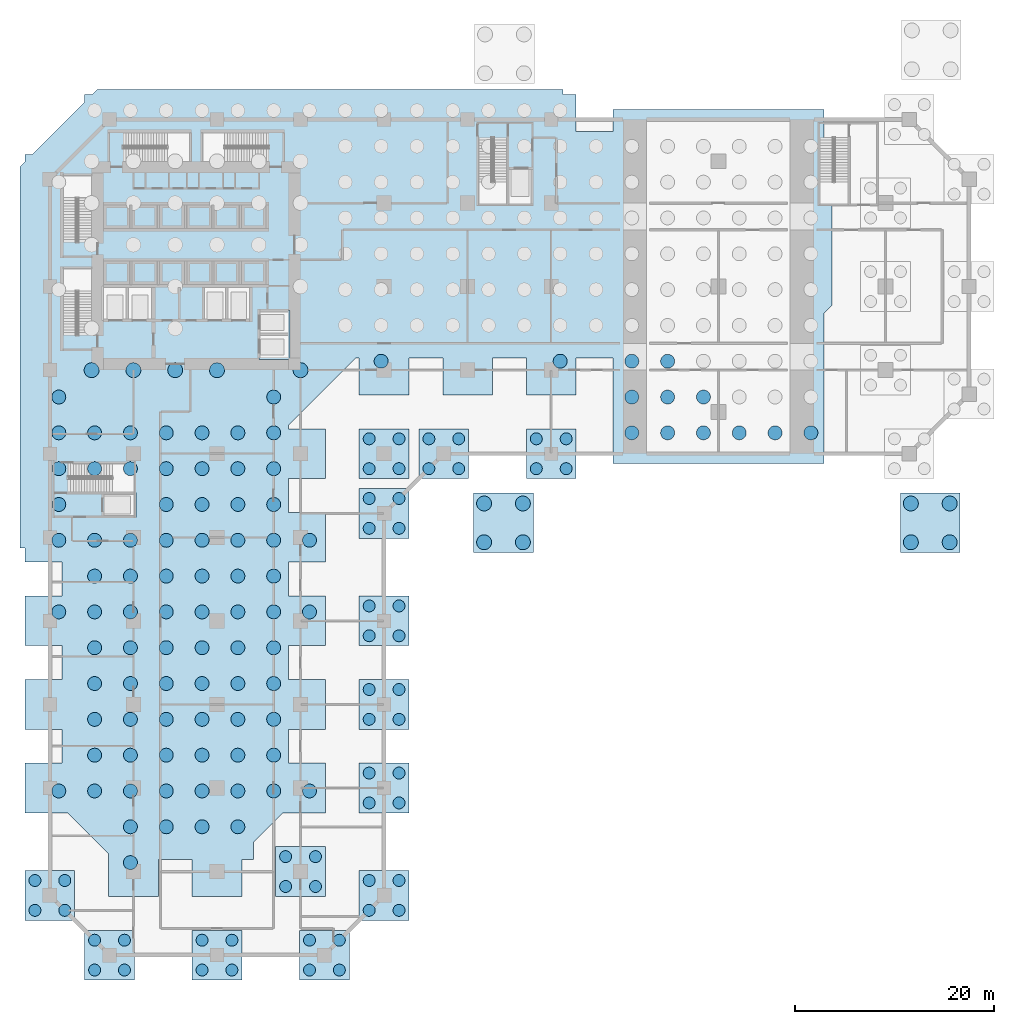
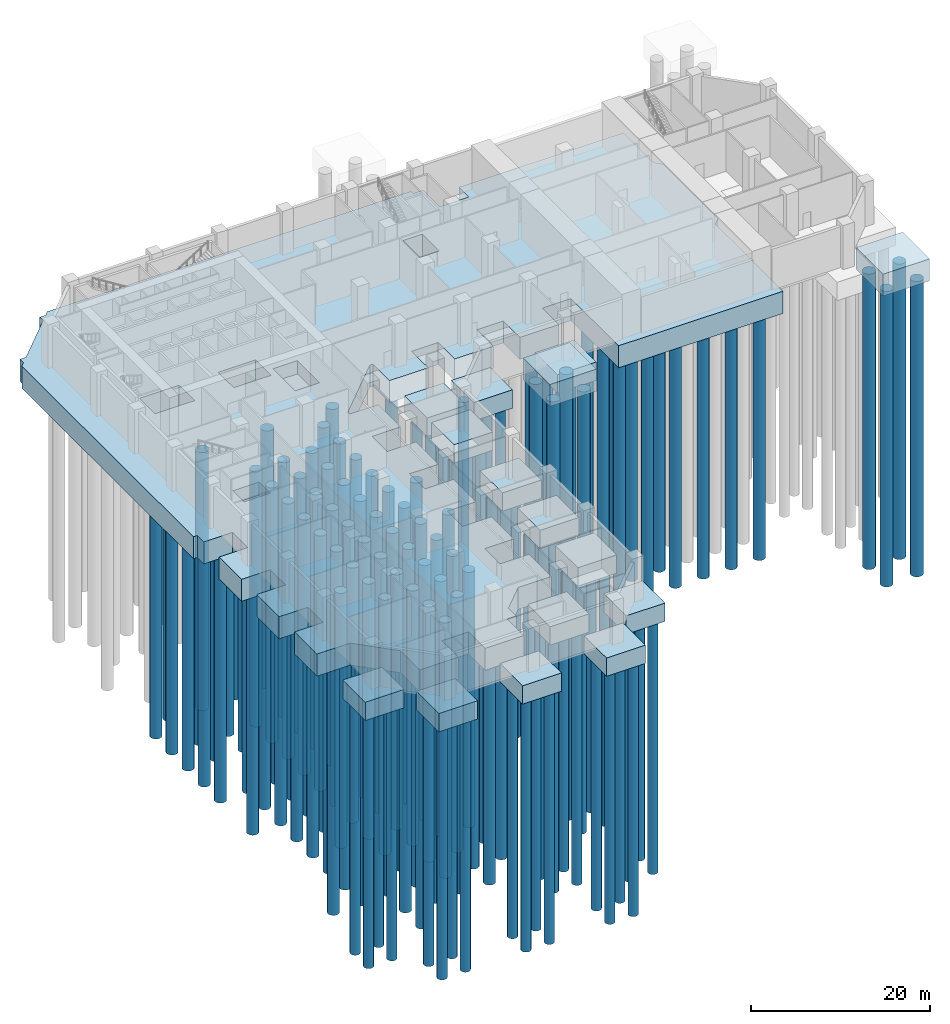
# One storey, part 1 of 13: 158 piles, 18 footings.
"""IFC4 building model written with IfcOpenShell, lengths in metres."""

from ifc_helpers import new_model, si_unit, direction, frame, origin, origin_2d, place, context, subcontext, project, spatial, polyline, circle, outline, extrude, material, layer, layer_set, material_profile, profile_set, type_object, element, save


model = new_model("IFC4")

# Units and contexts
model_context = context("Model", 3, precision=1e-05, world=origin(), true_north=direction((0.0, 1.0)))
body_context = subcontext(model_context, "Body", "Model", "MODEL_VIEW")
ifc_project = project(units=[si_unit("LENGTHUNIT", "METRE"), si_unit("AREAUNIT", "SQUARE_METRE"), si_unit("VOLUMEUNIT", "CUBIC_METRE"), si_unit("PLANEANGLEUNIT", "RADIAN"), si_unit("MASSUNIT", "GRAM", prefix="KILO")], contexts=[model_context])

# Site, building, storey
site_placement = place(None, origin())
site = spatial("IfcSite", under=ifc_project, at=site_placement, CompositionType="ELEMENT")
building_placement = place(site_placement, origin())
building = spatial("IfcBuilding", under=site, at=building_placement, Name="Kawkab Arch Medical Tower", CompositionType="ELEMENT")
storey_placement = place(building_placement, frame((0.0, 0.0, -6.0)))
storey = spatial("IfcBuildingStorey", under=building, at=storey_placement, Name="B1", CompositionType="ELEMENT", Elevation=-6.0)

# Piles
ifc_material_1 = material(Name="Concrete C35/45", Category="concrete")
ifc_material_profile_1 = material_profile(ifc_material_1, circle(Radius=0.60009765625, at=origin_2d()), Name="Bored pile D1200")
ifc_profile_set_1 = profile_set([ifc_material_profile_1], Name="Concrete C35/45")
pile_type_1 = type_object("IfcPileType", Name="Bored pile D1200 C35/45", PredefinedType="BORED", material=ifc_profile_set_1)
for number, where, z_axis, x_axis, name in (
    (1, (32.10009765625, -35.10009765625, -2.35009765625), (0.0, 0.0, -1.0), (1.0, 0.0, 0.0), "Pile 255"),
    (2, (32.10009765625, -32.10009765625, -2.35009765625), (0.0, 0.0, -1.0), (1.0, 0.0, 0.0), "Pile 256"),
    (3, (35.10009765625, -35.10009765625, -2.35009765625), (0.0, 0.0, -1.0), (1.0, 0.0, 0.0), "Pile 257"),
    (4, (35.10009765625, -32.10009765625, -2.35009765625), (0.0, 0.0, -1.0), (1.0, 0.0, 0.0), "Pile 258"),
    (5, (38.10009765625, -35.10009765625, -2.35009765625), (0.0, 0.0, -1.0), (1.0, 0.0, 0.0), "Pile 259"),
    (6, (38.10009765625, -32.10009765625, -2.35009765625), (0.0, 0.0, -1.0), (1.0, 0.0, 0.0), "Pile 260"),
    (7, (41.10009765625, -35.10009765625, -2.35009765625), (0.0, 0.0, -1.0), (1.0, 0.0, 0.0), "Pile 261"),
    (8, (41.10009765625, -32.10009765625, -2.35009765625), (0.0, 0.0, -1.0), (1.0, 0.0, 0.0), "Pile 262"),
    (9, (48.89990234375, -35.10009765625, -2.35009765625), (0.0, 0.0, -1.0), (1.0, 0.0, 0.0), "Pile 263"),
    (10, (48.89990234375, -32.10009765625, -2.35009765625), (0.0, 0.0, -1.0), (1.0, 0.0, 0.0), "Pile 264"),
    (11, (51.89990234375, -35.10009765625, -2.35009765625), (0.0, 0.0, -1.0), (1.0, 0.0, 0.0), "Pile 265"),
    (12, (51.89990234375, -32.10009765625, -2.35009765625), (0.0, 0.0, -1.0), (1.0, 0.0, 0.0), "Pile 266"),
    (13, (32.10009765625, -41.10009765625, -2.35009765625), (0.0, 0.0, -1.0), (1.0, 0.0, 0.0), "Pile 271"),
    (14, (32.10009765625, -38.10009765625, -2.35009765625), (0.0, 0.0, -1.0), (1.0, 0.0, 0.0), "Pile 272"),
    (15, (35.10009765625, -41.10009765625, -2.35009765625), (0.0, 0.0, -1.0), (1.0, 0.0, 0.0), "Pile 273"),
    (16, (35.10009765625, -38.10009765625, -2.35009765625), (0.0, 0.0, -1.0), (1.0, 0.0, 0.0), "Pile 274"),
    (17, (32.10009765625, -51.89990234375, -2.35009765625), (0.0, 0.0, -1.0), (1.0, 0.0, 0.0), "Pile 275"),
    (18, (32.10009765625, -48.89990234375, -2.35009765625), (0.0, 0.0, -1.0), (1.0, 0.0, 0.0), "Pile 276"),
    (19, (35.10009765625, -51.89990234375, -2.35009765625), (0.0, 0.0, -1.0), (1.0, 0.0, 0.0), "Pile 277"),
    (20, (35.10009765625, -48.89990234375, -2.35009765625), (0.0, 0.0, -1.0), (1.0, 0.0, 0.0), "Pile 278"),
    (21, (32.10009765625, -60.300048828125, -2.35009765625), (0.0, 0.0, -1.0), (1.0, 0.0, 0.0), "Pile 279"),
    (22, (32.10009765625, -57.300048828125, -2.35009765625), (0.0, 0.0, -1.0), (1.0, 0.0, 0.0), "Pile 280"),
    (23, (35.10009765625, -60.300048828125, -2.35009765625), (0.0, 0.0, -1.0), (1.0, 0.0, 0.0), "Pile 281"),
    (24, (35.10009765625, -57.300048828125, -2.35009765625), (0.0, 0.0, -1.0), (1.0, 0.0, 0.0), "Pile 282"),
    (25, (32.10009765625, -68.699951171875, -2.35009765625), (0.0, 0.0, -1.0), (1.0, 0.0, 0.0), "Pile 283"),
    (26, (32.10009765625, -65.699951171875, -2.35009765625), (0.0, 0.0, -1.0), (1.0, 0.0, 0.0), "Pile 284"),
    (27, (35.10009765625, -68.699951171875, -2.35009765625), (0.0, 0.0, -1.0), (1.0, 0.0, 0.0), "Pile 285"),
    (28, (35.10009765625, -65.699951171875, -2.35009765625), (0.0, 0.0, -1.0), (1.0, 0.0, 0.0), "Pile 286"),
    (29, (23.699951171875, -77.10009765625, -2.35009765625), (0.0, 0.0, -1.0), (1.0, 0.0, 0.0), "Pile 287"),
    (30, (23.699951171875, -74.10009765625, -2.35009765625), (0.0, 0.0, -1.0), (1.0, 0.0, 0.0), "Pile 288"),
    (31, (26.699951171875, -77.10009765625, -2.35009765625), (0.0, 0.0, -1.0), (1.0, 0.0, 0.0), "Pile 289"),
    (32, (26.699951171875, -74.10009765625, -2.35009765625), (0.0, 0.0, -1.0), (1.0, 0.0, 0.0), "Pile 290"),
    (33, (-1.5, -79.5, -2.35009765625), (0.0, 0.0, -1.0), (1.0, 0.0, 0.0), "Pile 291"),
    (34, (-1.5, -76.5, -2.35009765625), (0.0, 0.0, -1.0), (1.0, 0.0, 0.0), "Pile 292"),
    (35, (1.5, -79.5, -2.35009765625), (0.0, 0.0, -1.0), (1.0, 0.0, 0.0), "Pile 293"),
    (36, (1.5, -76.5, -2.35009765625), (0.0, 0.0, -1.0), (1.0, 0.0, 0.0), "Pile 294"),
    (37, (32.10009765625, -79.5, -2.35009765625), (0.0, 0.0, -1.0), (1.0, 0.0, 0.0), "Pile 295"),
    (38, (32.10009765625, -76.5, -2.35009765625), (0.0, 0.0, -1.0), (1.0, 0.0, 0.0), "Pile 296"),
    (39, (35.10009765625, -79.5, -2.35009765625), (0.0, 0.0, -1.0), (1.0, 0.0, 0.0), "Pile 297"),
    (40, (35.10009765625, -76.5, -2.35009765625), (0.0, 0.0, -1.0), (1.0, 0.0, 0.0), "Pile 298"),
    (41, (4.5, -85.5, -2.35009765625), (0.0, 0.0, -1.0), (1.0, 0.0, 0.0), "Pile 299"),
    (42, (4.5, -82.5, -2.35009765625), (0.0, 0.0, -1.0), (1.0, 0.0, 0.0), "Pile 300"),
    (43, (7.5, -85.5, -2.35009765625), (0.0, 0.0, -1.0), (1.0, 0.0, 0.0), "Pile 301"),
    (44, (7.5, -82.5, -2.35009765625), (0.0, 0.0, -1.0), (1.0, 0.0, 0.0), "Pile 302"),
    (45, (15.300048828125, -85.5, -2.35009765625), (0.0, 0.0, -1.0), (1.0, 0.0, 0.0), "Pile 303"),
    (46, (15.300048828125, -82.5, -2.35009765625), (0.0, 0.0, -1.0), (1.0, 0.0, 0.0), "Pile 304"),
    (47, (18.300048828125, -85.5, -2.35009765625), (0.0, 0.0, -1.0), (1.0, 0.0, 0.0), "Pile 305"),
    (48, (18.300048828125, -82.5, -2.35009765625), (0.0, 0.0, -1.0), (1.0, 0.0, 0.0), "Pile 306"),
    (49, (26.10009765625, -85.5, -2.35009765625), (0.0, 0.0, -1.0), (1.0, 0.0, 0.0), "Pile 307"),
    (50, (26.10009765625, -82.5, -2.35009765625), (0.0, 0.0, -1.0), (1.0, 0.0, 0.0), "Pile 308"),
    (51, (29.10009765625, -85.5, -2.35009765625), (0.0, 0.0, -1.0), (1.0, 0.0, 0.0), "Pile 309"),
    (52, (29.10009765625, -82.5, -2.35009765625), (0.0, 0.0, -1.0), (1.0, 0.0, 0.0), "Pile 310"),
):
    element("IfcPile", number, at=place(storey_placement, frame(where, z_axis=z_axis, x_axis=x_axis)), inside=storey, type_object=pile_type_1, Name=name, PredefinedType="BORED", context=body_context, shape_type="SweptSolid", body=[
        extrude(circle(Radius=0.60009765625, at=origin_2d()), origin(), (0.0, 0.0, 1.0), 34.449951171875),
    ])
ifc_material_2 = material(Name="Concrete C35/45", Category="concrete")
ifc_material_profile_2 = material_profile(ifc_material_2, circle(Radius=0.699951171875, at=origin_2d()), Name="Bored pile D1400")
ifc_profile_set_2 = profile_set([ifc_material_profile_2], Name="Concrete C35/45")
pile_type_2 = type_object("IfcPileType", Name="Bored pile D1400 C35/45", PredefinedType="BORED", material=ifc_profile_set_2)
for number, where, z_axis, x_axis, name in (
    (53, (33.300048828125, -24.300048828125, -2.85009765625), (0.0, 0.0, -1.0), (1.0, 0.0, 0.0), "Pile 127"),
    (54, (51.300048828125, -24.300048828125, -2.85009765625), (0.0, 0.0, -1.0), (1.0, 0.0, 0.0), "Pile 128"),
    (55, (58.5, -24.300048828125, -2.85009765625), (0.0, 0.0, -1.0), (1.0, 0.0, 0.0), "Pile 129"),
    (56, (62.10009765625, -24.300048828125, -2.85009765625), (0.0, 0.0, -1.0), (1.0, 0.0, 0.0), "Pile 130"),
    (57, (0.89990234375, -27.89990234375, -2.85009765625), (0.0, 0.0, -1.0), (1.0, 0.0, 0.0), "Pile 135"),
    (58, (22.5, -27.89990234375, -2.85009765625), (0.0, 0.0, -1.0), (1.0, 0.0, 0.0), "Pile 136"),
    (59, (58.5, -27.89990234375, -2.85009765625), (0.0, 0.0, -1.0), (1.0, 0.0, 0.0), "Pile 137"),
    (60, (62.10009765625, -27.89990234375, -2.85009765625), (0.0, 0.0, -1.0), (1.0, 0.0, 0.0), "Pile 138"),
    (61, (65.699951171875, -27.89990234375, -2.85009765625), (0.0, 0.0, -1.0), (1.0, 0.0, 0.0), "Pile 139"),
    (62, (0.89990234375, -31.5, -2.85009765625), (0.0, 0.0, -1.0), (1.0, 0.0, 0.0), "Pile 143"),
    (63, (4.5, -31.5, -2.85009765625), (0.0, 0.0, -1.0), (1.0, 0.0, 0.0), "Pile 144"),
    (64, (8.10009765625, -31.5, -2.85009765625), (0.0, 0.0, -1.0), (1.0, 0.0, 0.0), "Pile 145"),
    (65, (11.699951171875, -31.5, -2.85009765625), (0.0, 0.0, -1.0), (1.0, 0.0, 0.0), "Pile 146"),
    (66, (15.300048828125, -31.5, -2.85009765625), (0.0, 0.0, -1.0), (1.0, 0.0, 0.0), "Pile 147"),
    (67, (18.89990234375, -31.5, -2.85009765625), (0.0, 0.0, -1.0), (1.0, 0.0, 0.0), "Pile 148"),
    (68, (22.5, -31.5, -2.85009765625), (0.0, 0.0, -1.0), (1.0, 0.0, 0.0), "Pile 149"),
    (69, (58.5, -31.5, -2.85009765625), (0.0, 0.0, -1.0), (1.0, 0.0, 0.0), "Pile 150"),
    (70, (62.10009765625, -31.5, -2.85009765625), (0.0, 0.0, -1.0), (1.0, 0.0, 0.0), "Pile 151"),
    (71, (65.699951171875, -31.5, -2.85009765625), (0.0, 0.0, -1.0), (1.0, 0.0, 0.0), "Pile 152"),
    (72, (69.300048828125, -31.5, -2.85009765625), (0.0, 0.0, -1.0), (1.0, 0.0, 0.0), "Pile 153"),
    (73, (72.89990234375, -31.5, -2.85009765625), (0.0, 0.0, -1.0), (1.0, 0.0, 0.0), "Pile 154"),
    (74, (76.5, -31.5, -2.85009765625), (0.0, 0.0, -1.0), (1.0, 0.0, 0.0), "Pile 155"),
    (75, (0.89990234375, -35.10009765625, -2.85009765625), (0.0, 0.0, -1.0), (1.0, 0.0, 0.0), "Pile 156"),
    (76, (4.5, -35.10009765625, -2.85009765625), (0.0, 0.0, -1.0), (1.0, 0.0, 0.0), "Pile 157"),
    (77, (8.10009765625, -35.10009765625, -2.85009765625), (0.0, 0.0, -1.0), (1.0, 0.0, 0.0), "Pile 158"),
    (78, (11.699951171875, -35.10009765625, -2.85009765625), (0.0, 0.0, -1.0), (1.0, 0.0, 0.0), "Pile 159"),
    (79, (15.300048828125, -35.10009765625, -2.85009765625), (0.0, 0.0, -1.0), (1.0, 0.0, 0.0), "Pile 160"),
    (80, (18.89990234375, -35.10009765625, -2.85009765625), (0.0, 0.0, -1.0), (1.0, 0.0, 0.0), "Pile 161"),
    (81, (22.5, -35.10009765625, -2.85009765625), (0.0, 0.0, -1.0), (1.0, 0.0, 0.0), "Pile 162"),
    (82, (0.89990234375, -38.699951171875, -2.85009765625), (0.0, 0.0, -1.0), (1.0, 0.0, 0.0), "Pile 163"),
    (83, (11.699951171875, -38.699951171875, -2.85009765625), (0.0, 0.0, -1.0), (1.0, 0.0, 0.0), "Pile 164"),
    (84, (15.300048828125, -38.699951171875, -2.85009765625), (0.0, 0.0, -1.0), (1.0, 0.0, 0.0), "Pile 165"),
    (85, (18.89990234375, -38.699951171875, -2.85009765625), (0.0, 0.0, -1.0), (1.0, 0.0, 0.0), "Pile 166"),
    (86, (22.5, -38.699951171875, -2.85009765625), (0.0, 0.0, -1.0), (1.0, 0.0, 0.0), "Pile 167"),
    (87, (0.89990234375, -42.300048828125, -2.85009765625), (0.0, 0.0, -1.0), (1.0, 0.0, 0.0), "Pile 168"),
    (88, (4.5, -42.300048828125, -2.85009765625), (0.0, 0.0, -1.0), (1.0, 0.0, 0.0), "Pile 169"),
    (89, (8.10009765625, -42.300048828125, -2.85009765625), (0.0, 0.0, -1.0), (1.0, 0.0, 0.0), "Pile 170"),
    (90, (11.699951171875, -42.300048828125, -2.85009765625), (0.0, 0.0, -1.0), (1.0, 0.0, 0.0), "Pile 171"),
    (91, (15.300048828125, -42.300048828125, -2.85009765625), (0.0, 0.0, -1.0), (1.0, 0.0, 0.0), "Pile 172"),
    (92, (18.89990234375, -42.300048828125, -2.85009765625), (0.0, 0.0, -1.0), (1.0, 0.0, 0.0), "Pile 173"),
    (93, (22.5, -42.300048828125, -2.85009765625), (0.0, 0.0, -1.0), (1.0, 0.0, 0.0), "Pile 174"),
    (94, (26.10009765625, -42.300048828125, -2.85009765625), (0.0, 0.0, -1.0), (1.0, 0.0, 0.0), "Pile 175"),
    (95, (4.5, -45.89990234375, -2.85009765625), (0.0, 0.0, -1.0), (1.0, 0.0, 0.0), "Pile 176"),
    (96, (8.10009765625, -45.89990234375, -2.85009765625), (0.0, 0.0, -1.0), (1.0, 0.0, 0.0), "Pile 177"),
    (97, (11.699951171875, -45.89990234375, -2.85009765625), (0.0, 0.0, -1.0), (1.0, 0.0, 0.0), "Pile 178"),
    (98, (15.300048828125, -45.89990234375, -2.85009765625), (0.0, 0.0, -1.0), (1.0, 0.0, 0.0), "Pile 179"),
    (99, (18.89990234375, -45.89990234375, -2.85009765625), (0.0, 0.0, -1.0), (1.0, 0.0, 0.0), "Pile 180"),
    (100, (22.5, -45.89990234375, -2.85009765625), (0.0, 0.0, -1.0), (1.0, 0.0, 0.0), "Pile 181"),
    (101, (0.89990234375, -49.5, -2.85009765625), (0.0, 0.0, -1.0), (1.0, 0.0, 0.0), "Pile 182"),
    (102, (4.5, -49.5, -2.85009765625), (0.0, 0.0, -1.0), (1.0, 0.0, 0.0), "Pile 183"),
    (103, (8.10009765625, -49.5, -2.85009765625), (0.0, 0.0, -1.0), (1.0, 0.0, 0.0), "Pile 184"),
    (104, (11.699951171875, -49.5, -2.85009765625), (0.0, 0.0, -1.0), (1.0, 0.0, 0.0), "Pile 185"),
    (105, (15.300048828125, -49.5, -2.85009765625), (0.0, 0.0, -1.0), (1.0, 0.0, 0.0), "Pile 186"),
    (106, (18.89990234375, -49.5, -2.85009765625), (0.0, 0.0, -1.0), (1.0, 0.0, 0.0), "Pile 187"),
    (107, (22.5, -49.5, -2.85009765625), (0.0, 0.0, -1.0), (1.0, 0.0, 0.0), "Pile 188"),
    (108, (26.10009765625, -49.5, -2.85009765625), (0.0, 0.0, -1.0), (1.0, 0.0, 0.0), "Pile 189"),
    (109, (4.5, -53.10009765625, -2.85009765625), (0.0, 0.0, -1.0), (1.0, 0.0, 0.0), "Pile 190"),
    (110, (8.10009765625, -53.10009765625, -2.85009765625), (0.0, 0.0, -1.0), (1.0, 0.0, 0.0), "Pile 191"),
    (111, (11.699951171875, -53.10009765625, -2.85009765625), (0.0, 0.0, -1.0), (1.0, 0.0, 0.0), "Pile 192"),
    (112, (15.300048828125, -53.10009765625, -2.85009765625), (0.0, 0.0, -1.0), (1.0, 0.0, 0.0), "Pile 193"),
    (113, (18.89990234375, -53.10009765625, -2.85009765625), (0.0, 0.0, -1.0), (1.0, 0.0, 0.0), "Pile 194"),
    (114, (22.5, -53.10009765625, -2.85009765625), (0.0, 0.0, -1.0), (1.0, 0.0, 0.0), "Pile 195"),
    (115, (4.5, -56.699951171875, -2.85009765625), (0.0, 0.0, -1.0), (1.0, 0.0, 0.0), "Pile 196"),
    (116, (8.10009765625, -56.699951171875, -2.85009765625), (0.0, 0.0, -1.0), (1.0, 0.0, 0.0), "Pile 197"),
    (117, (11.699951171875, -56.699951171875, -2.85009765625), (0.0, 0.0, -1.0), (1.0, 0.0, 0.0), "Pile 198"),
    (118, (15.300048828125, -56.699951171875, -2.85009765625), (0.0, 0.0, -1.0), (1.0, 0.0, 0.0), "Pile 199"),
    (119, (18.89990234375, -56.699951171875, -2.85009765625), (0.0, 0.0, -1.0), (1.0, 0.0, 0.0), "Pile 200"),
    (120, (22.5, -56.699951171875, -2.85009765625), (0.0, 0.0, -1.0), (1.0, 0.0, 0.0), "Pile 201"),
    (121, (4.5, -60.300048828125, -2.85009765625), (0.0, 0.0, -1.0), (1.0, 0.0, 0.0), "Pile 202"),
    (122, (8.10009765625, -60.300048828125, -2.85009765625), (0.0, 0.0, -1.0), (1.0, 0.0, 0.0), "Pile 203"),
    (123, (11.699951171875, -60.300048828125, -2.85009765625), (0.0, 0.0, -1.0), (1.0, 0.0, 0.0), "Pile 204"),
    (124, (15.300048828125, -60.300048828125, -2.85009765625), (0.0, 0.0, -1.0), (1.0, 0.0, 0.0), "Pile 205"),
    (125, (18.89990234375, -60.300048828125, -2.85009765625), (0.0, 0.0, -1.0), (1.0, 0.0, 0.0), "Pile 206"),
    (126, (22.5, -60.300048828125, -2.85009765625), (0.0, 0.0, -1.0), (1.0, 0.0, 0.0), "Pile 207"),
    (127, (4.5, -63.89990234375, -2.85009765625), (0.0, 0.0, -1.0), (1.0, 0.0, 0.0), "Pile 208"),
    (128, (8.10009765625, -63.89990234375, -2.85009765625), (0.0, 0.0, -1.0), (1.0, 0.0, 0.0), "Pile 209"),
    (129, (11.699951171875, -63.89990234375, -2.85009765625), (0.0, 0.0, -1.0), (1.0, 0.0, 0.0), "Pile 210"),
    (130, (15.300048828125, -63.89990234375, -2.85009765625), (0.0, 0.0, -1.0), (1.0, 0.0, 0.0), "Pile 211"),
    (131, (18.89990234375, -63.89990234375, -2.85009765625), (0.0, 0.0, -1.0), (1.0, 0.0, 0.0), "Pile 212"),
    (132, (22.5, -63.89990234375, -2.85009765625), (0.0, 0.0, -1.0), (1.0, 0.0, 0.0), "Pile 213"),
    (133, (0.89990234375, -67.5, -2.85009765625), (0.0, 0.0, -1.0), (1.0, 0.0, 0.0), "Pile 214"),
    (134, (4.5, -67.5, -2.85009765625), (0.0, 0.0, -1.0), (1.0, 0.0, 0.0), "Pile 215"),
    (135, (8.10009765625, -67.5, -2.85009765625), (0.0, 0.0, -1.0), (1.0, 0.0, 0.0), "Pile 216"),
    (136, (11.699951171875, -67.5, -2.85009765625), (0.0, 0.0, -1.0), (1.0, 0.0, 0.0), "Pile 217"),
    (137, (15.300048828125, -67.5, -2.85009765625), (0.0, 0.0, -1.0), (1.0, 0.0, 0.0), "Pile 218"),
    (138, (18.89990234375, -67.5, -2.85009765625), (0.0, 0.0, -1.0), (1.0, 0.0, 0.0), "Pile 219"),
    (139, (22.5, -67.5, -2.85009765625), (0.0, 0.0, -1.0), (1.0, 0.0, 0.0), "Pile 220"),
    (140, (26.10009765625, -67.5, -2.85009765625), (0.0, 0.0, -1.0), (1.0, 0.0, 0.0), "Pile 221"),
    (141, (8.10009765625, -71.10009765625, -2.85009765625), (0.0, 0.0, -1.0), (1.0, 0.0, 0.0), "Pile 222"),
    (142, (11.699951171875, -71.10009765625, -2.85009765625), (0.0, 0.0, -1.0), (1.0, 0.0, 0.0), "Pile 223"),
    (143, (15.300048828125, -71.10009765625, -2.85009765625), (0.0, 0.0, -1.0), (1.0, 0.0, 0.0), "Pile 224"),
    (144, (18.89990234375, -71.10009765625, -2.85009765625), (0.0, 0.0, -1.0), (1.0, 0.0, 0.0), "Pile 225"),
    (145, (8.10009765625, -74.699951171875, -2.85009765625), (0.0, 0.0, -1.0), (1.0, 0.0, 0.0), "Pile 226"),
):
    element("IfcPile", number, at=place(storey_placement, frame(where, z_axis=z_axis, x_axis=x_axis)), inside=storey, type_object=pile_type_2, Name=name, PredefinedType="BORED", context=body_context, shape_type="SweptSolid", body=[
        extrude(circle(Radius=0.699951171875, at=origin_2d()), origin(), (0.0, 0.0, 1.0), 34.75),
    ])
ifc_material_3 = material(Name="Concrete C35/45", Category="concrete")
ifc_material_profile_3 = material_profile(ifc_material_3, circle(Radius=0.75, at=origin_2d()), Name="Bored pile D1500")
ifc_profile_set_3 = profile_set([ifc_material_profile_3], Name="Concrete C35/45")
pile_type_3 = type_object("IfcPileType", Name="Bored pile D1500 C35/45", PredefinedType="BORED", material=ifc_profile_set_3)
for number, where, z_axis, x_axis, name in (
    (146, (4.199951171875, -25.199951171875, -2.85009765625), (0.0, 0.0, -1.0), (1.0, 0.0, 0.0), "Pile 023"),
    (147, (8.39990234375, -25.199951171875, -2.85009765625), (0.0, 0.0, -1.0), (1.0, 0.0, 0.0), "Pile 024"),
    (148, (12.60009765625, -25.199951171875, -2.85009765625), (0.0, 0.0, -1.0), (1.0, 0.0, 0.0), "Pile 025"),
    (149, (16.800048828125, -25.199951171875, -2.85009765625), (0.0, 0.0, -1.0), (1.0, 0.0, 0.0), "Pile 026"),
    (150, (25.199951171875, -25.199951171875, -2.85009765625), (0.0, 0.0, -1.0), (1.0, 0.0, 0.0), "Pile 027"),
):
    element("IfcPile", number, at=place(storey_placement, frame(where, z_axis=z_axis, x_axis=x_axis)), inside=storey, type_object=pile_type_3, Name=name, PredefinedType="BORED", context=body_context, shape_type="SweptSolid", body=[
        extrude(circle(Radius=0.75, at=origin_2d()), origin(), (0.0, 0.0, 1.0), 35.14990234375),
    ])
for number, where, z_axis, x_axis, name in (
    (151, (43.64990234375, -38.60009765625, 2.199951171875), (0.0, 0.0, -1.0), (1.0, 0.0, 0.0), "Portal arch pile SW-1"),
    (152, (47.550048828125, -38.60009765625, 2.199951171875), (0.0, 0.0, -1.0), (1.0, 0.0, 0.0), "Portal arch pile SW-2"),
    (153, (43.64990234375, -42.5, 2.199951171875), (0.0, 0.0, -1.0), (1.0, 0.0, 0.0), "Portal arch pile SW-3"),
    (154, (47.550048828125, -42.5, 2.199951171875), (0.0, 0.0, -1.0), (1.0, 0.0, 0.0), "Portal arch pile SW-4"),
    (155, (86.550048828125, -38.60009765625, 2.199951171875), (0.0, 0.0, -1.0), (1.0, 0.0, 0.0), "Portal arch pile SE-1"),
    (156, (90.449951171875, -38.60009765625, 2.199951171875), (0.0, 0.0, -1.0), (1.0, 0.0, 0.0), "Portal arch pile SE-2"),
    (157, (86.550048828125, -42.5, 2.199951171875), (0.0, 0.0, -1.0), (1.0, 0.0, 0.0), "Portal arch pile SE-3"),
    (158, (90.449951171875, -42.5, 2.199951171875), (0.0, 0.0, -1.0), (1.0, 0.0, 0.0), "Portal arch pile SE-4"),
):
    element("IfcPile", number, at=place(storey_placement, frame(where, z_axis=z_axis, x_axis=x_axis)), inside=storey, type_object=pile_type_3, Name=name, PredefinedType="BORED", context=body_context, shape_type="SweptSolid", body=[
        extrude(circle(Radius=0.75, at=origin_2d()), origin(), (0.0, 0.0, 1.0), 40.199951171875),
    ])

# Footings
ifc_material_4 = material(Name="Concrete C45/55", Category="concrete")
ifc_layer_1 = layer(ifc_material_4, 2.5)
ifc_layer_set_1 = layer_set([ifc_layer_1], Name="Concrete C45/55")
footing_type_1 = type_object("IfcFootingType", Name="Pile cap 2500 C45/55", PredefinedType="PILE_CAP", material=ifc_layer_set_1)
placement_1 = place(storey_placement, frame((0.0, 0.0, -2.5)))
element("IfcFooting", 159, at=placement_1, inside=storey, type_object=footing_type_1, Name="Pile cap 08", PredefinedType="PILE_CAP", context=body_context, shape_type="SweptSolid", body=[
    extrude(outline(polyline([(36.10009765625, -36.10009765625), (36.10009765625, -31.10009765625), (31.10009765625, -31.10009765625), (31.10009765625, -36.10009765625), (36.10009765625, -36.10009765625)])), origin(), (0.0, 0.0, 1.0), 2.5),
])
element("IfcFooting", 160, at=placement_1, inside=storey, type_object=footing_type_1, Name="Pile cap 09", PredefinedType="PILE_CAP", context=body_context, shape_type="SweptSolid", body=[
    extrude(outline(polyline([(42.10009765625, -36.10009765625), (42.10009765625, -31.10009765625), (37.10009765625, -31.10009765625), (37.10009765625, -36.10009765625), (42.10009765625, -36.10009765625)])), origin(), (0.0, 0.0, 1.0), 2.5),
])
element("IfcFooting", 161, at=placement_1, inside=storey, type_object=footing_type_1, Name="Pile cap 10", PredefinedType="PILE_CAP", context=body_context, shape_type="SweptSolid", body=[
    extrude(outline(polyline([(52.89990234375, -36.10009765625), (52.89990234375, -31.10009765625), (47.89990234375, -31.10009765625), (47.89990234375, -36.10009765625), (52.89990234375, -36.10009765625)])), origin(), (0.0, 0.0, 1.0), 2.5),
])
element("IfcFooting", 162, at=placement_1, inside=storey, type_object=footing_type_1, Name="Pile cap 12", PredefinedType="PILE_CAP", context=body_context, shape_type="SweptSolid", body=[
    extrude(outline(polyline([(36.10009765625, -42.10009765625), (36.10009765625, -37.10009765625), (31.10009765625, -37.10009765625), (31.10009765625, -42.10009765625), (36.10009765625, -42.10009765625)])), origin(), (0.0, 0.0, 1.0), 2.5),
])
element("IfcFooting", 163, at=placement_1, inside=storey, type_object=footing_type_1, Name="Pile cap 13", PredefinedType="PILE_CAP", context=body_context, shape_type="SweptSolid", body=[
    extrude(outline(polyline([(36.10009765625, -52.89990234375), (36.10009765625, -47.89990234375), (31.10009765625, -47.89990234375), (31.10009765625, -52.89990234375), (36.10009765625, -52.89990234375)])), origin(), (0.0, 0.0, 1.0), 2.5),
])
element("IfcFooting", 164, at=placement_1, inside=storey, type_object=footing_type_1, Name="Pile cap 14", PredefinedType="PILE_CAP", context=body_context, shape_type="SweptSolid", body=[
    extrude(outline(polyline([(36.10009765625, -61.300048828125), (36.10009765625, -56.300048828125), (31.10009765625, -56.300048828125), (31.10009765625, -61.300048828125), (36.10009765625, -61.300048828125)])), origin(), (0.0, 0.0, 1.0), 2.5),
])
element("IfcFooting", 165, at=placement_1, inside=storey, type_object=footing_type_1, Name="Pile cap 15", PredefinedType="PILE_CAP", context=body_context, shape_type="SweptSolid", body=[
    extrude(outline(polyline([(36.10009765625, -69.699951171875), (36.10009765625, -64.699951171875), (31.10009765625, -64.699951171875), (31.10009765625, -69.699951171875), (36.10009765625, -69.699951171875)])), origin(), (0.0, 0.0, 1.0), 2.5),
])
element("IfcFooting", 166, at=placement_1, inside=storey, type_object=footing_type_1, Name="Pile cap 16", PredefinedType="PILE_CAP", context=body_context, shape_type="SweptSolid", body=[
    extrude(outline(polyline([(27.699951171875, -78.10009765625), (27.699951171875, -73.10009765625), (22.699951171875, -73.10009765625), (22.699951171875, -78.10009765625), (27.699951171875, -78.10009765625)])), origin(), (0.0, 0.0, 1.0), 2.5),
])
element("IfcFooting", 167, at=placement_1, inside=storey, type_object=footing_type_1, Name="Pile cap 17", PredefinedType="PILE_CAP", context=body_context, shape_type="SweptSolid", body=[
    extrude(outline(polyline([(2.5, -80.5), (2.5, -75.5), (-2.5, -75.5), (-2.5, -80.5), (2.5, -80.5)])), origin(), (0.0, 0.0, 1.0), 2.5),
])
element("IfcFooting", 168, at=placement_1, inside=storey, type_object=footing_type_1, Name="Pile cap 18", PredefinedType="PILE_CAP", context=body_context, shape_type="SweptSolid", body=[
    extrude(outline(polyline([(36.10009765625, -80.5), (36.10009765625, -75.5), (31.10009765625, -75.5), (31.10009765625, -80.5), (36.10009765625, -80.5)])), origin(), (0.0, 0.0, 1.0), 2.5),
])
element("IfcFooting", 169, at=placement_1, inside=storey, type_object=footing_type_1, Name="Pile cap 19", PredefinedType="PILE_CAP", context=body_context, shape_type="SweptSolid", body=[
    extrude(outline(polyline([(8.5, -86.5), (8.5, -81.5), (3.5, -81.5), (3.5, -86.5), (8.5, -86.5)])), origin(), (0.0, 0.0, 1.0), 2.5),
])
element("IfcFooting", 170, at=placement_1, inside=storey, type_object=footing_type_1, Name="Pile cap 20", PredefinedType="PILE_CAP", context=body_context, shape_type="SweptSolid", body=[
    extrude(outline(polyline([(19.300048828125, -86.5), (19.300048828125, -81.5), (14.300048828125, -81.5), (14.300048828125, -86.5), (19.300048828125, -86.5)])), origin(), (0.0, 0.0, 1.0), 2.5),
])
element("IfcFooting", 171, at=placement_1, inside=storey, type_object=footing_type_1, Name="Pile cap 21", PredefinedType="PILE_CAP", context=body_context, shape_type="SweptSolid", body=[
    extrude(outline(polyline([(30.10009765625, -86.5), (30.10009765625, -81.5), (25.10009765625, -81.5), (25.10009765625, -86.5), (30.10009765625, -86.5)])), origin(), (0.0, 0.0, 1.0), 2.5),
])
ifc_material_5 = material(Name="Concrete C60/75", Category="concrete")
ifc_layer_2 = layer(ifc_material_5, 3.0)
ifc_layer_set_2 = layer_set([ifc_layer_2], Name="Concrete C60/75")
footing_type_2 = type_object("IfcFootingType", Name="Pile cap 3000 C60/75", PredefinedType="PILE_CAP", material=ifc_layer_set_2)
placement_2 = place(storey_placement, frame((0.0, 0.0, 2.050048828125)))
element("IfcFooting", 172, at=placement_2, inside=storey, type_object=footing_type_2, Name="Portal arch pile cap SW", PredefinedType="PILE_CAP", context=body_context, shape_type="SweptSolid", body=[
    extrude(outline(polyline([(48.60009765625, -43.550048828125), (48.60009765625, -37.550048828125), (42.60009765625, -37.550048828125), (42.60009765625, -43.550048828125), (48.60009765625, -43.550048828125)])), origin(), (0.0, 0.0, 1.0), 3.0),
])
element("IfcFooting", 173, at=placement_2, inside=storey, type_object=footing_type_2, Name="Portal arch pile cap SE", PredefinedType="PILE_CAP", context=body_context, shape_type="SweptSolid", body=[
    extrude(outline(polyline([(91.5, -43.550048828125), (91.5, -37.550048828125), (85.5, -37.550048828125), (85.5, -43.550048828125), (91.5, -43.550048828125)])), origin(), (0.0, 0.0, 1.0), 3.0),
])
ifc_material_6 = material(Name="Concrete C45/55", Category="concrete")
ifc_layer_3 = layer(ifc_material_6, 3.0)
ifc_layer_set_3 = layer_set([ifc_layer_3], Name="Concrete C45/55")
footing_type_3 = type_object("IfcFootingType", Name="Piled raft 3000 C45/55", PredefinedType="PILE_CAP", material=ifc_layer_set_3)
placement_3 = place(storey_placement, frame((0.0, 0.0, -3.0)))
element("IfcFooting", 174, at=placement_3, inside=storey, type_object=footing_type_3, Name="Piled raft", PredefinedType="PILE_CAP", context=body_context, shape_type="SweptSolid", body=[
    extrude(outline(polyline([(19.300048828125, -78.10009765625), (14.300048828125, -78.10009765625), (14.300048828125, -74.40087890625), (10.89990234375, -74.40087890625), (10.89990234375, -78.10009765625), (5.89990234375, -78.10009765625), (5.89990234375, -73.8037109375), (1.79736328125, -69.699951171875), (-2.5, -69.699951171875), (-2.5, -64.699951171875), (1.199951171875, -64.699951171875), (1.199951171875, -61.300048828125), (-2.5, -61.300048828125), (-2.5, -56.300048828125), (1.199951171875, -56.300048828125), (1.199951171875, -52.89990234375), (-2.5, -52.89990234375), (-2.5, -47.89990234375), (1.199951171875, -47.89990234375), (1.199951171875, -44.5), (-2.5, -44.5), (-2.5, -43.050048828125), (-3.0, -43.050048828125), (-3.0, -4.75732421875), (-2.5, -4.25732421875), (-2.5, -3.5), (-1.74267578125, -3.5), (3.5, 1.74267578125), (3.5, 2.5), (4.25732421875, 2.5), (4.75732421875, 3.0), (51.60107421875, 3.0), (51.60107421875, 2.5), (52.89990234375, 2.5), (52.89990234375, -1.199951171875), (56.60009765625, -1.199951171875), (56.60009765625, 1.0), (61.0, 1.0), (73.39990234375, 1.0), (77.800048828125, 1.0), (77.800048828125, -5.697509765625), (78.60009765625, -6.497314453125), (78.60009765625, -18.70263671875), (77.800048828125, -19.502685546875), (77.800048828125, -34.60009765625), (73.39990234375, -34.60009765625), (61.0, -34.60009765625), (56.60009765625, -34.60009765625), (56.60009765625, -24.0), (52.89990234375, -24.0), (52.89990234375, -27.699951171875), (47.89990234375, -27.699951171875), (47.89990234375, -24.0), (44.5, -24.0), (44.5, -27.699951171875), (39.5, -27.699951171875), (39.5, -24.0), (36.10009765625, -24.0), (36.10009765625, -27.699951171875), (31.10009765625, -27.699951171875), (31.10009765625, -24.0), (30.70263671875, -24.0), (24.0, -30.70263671875), (24.0, -31.10009765625), (27.699951171875, -31.10009765625), (27.699951171875, -36.10009765625), (24.0, -36.10009765625), (24.0, -39.5), (27.699951171875, -39.5), (27.699951171875, -44.5), (24.0, -44.5), (24.0, -47.89990234375), (27.699951171875, -47.89990234375), (27.699951171875, -52.89990234375), (24.0, -52.89990234375), (24.0, -56.300048828125), (27.699951171875, -56.300048828125), (27.699951171875, -61.300048828125), (24.0, -61.300048828125), (24.0, -64.699951171875), (27.699951171875, -64.699951171875), (27.699951171875, -69.699951171875), (23.402587890625, -69.699951171875), (20.4599609375, -72.642578125), (20.4599609375, -74.40087890625), (19.300048828125, -74.40087890625), (19.300048828125, -78.10009765625)]), holes=[polyline([(5.27490234375, -40.0), (8.64990234375, -40.0), (8.64990234375, -37.5), (5.27490234375, -37.5), (5.27490234375, -40.0)]), polyline([(21.0, -24.14990234375), (24.14990234375, -24.14990234375), (24.14990234375, -21.625), (24.14990234375, -21.574951171875), (24.14990234375, -19.199951171875), (21.0, -19.199951171875), (21.0, -21.574951171875), (21.0, -21.625), (21.0, -24.14990234375)]), polyline([(5.25, -20.199951171875), (7.77490234375, -20.199951171875), (7.824951171875, -20.199951171875), (10.35009765625, -20.199951171875), (10.35009765625, -16.75), (7.824951171875, -16.75), (7.77490234375, -16.75), (5.25, -16.75), (5.25, -20.199951171875)]), polyline([(20.199951171875, -20.199951171875), (20.199951171875, -16.75), (17.824951171875, -16.75), (17.77490234375, -16.75), (15.375, -16.75), (15.375, -20.199951171875), (17.77490234375, -20.199951171875), (17.824951171875, -20.199951171875), (20.199951171875, -20.199951171875)]), polyline([(46.0, -4.875), (46.0, -8.64990234375), (48.5, -8.64990234375), (48.5, -4.875), (46.0, -4.875)])]), origin(), (0.0, 0.0, 1.0), 3.0),
])
ifc_material_7 = material(Name="Concrete C45/55", Category="concrete")
ifc_layer_4 = layer(ifc_material_7, 3.0)
ifc_layer_set_4 = layer_set([ifc_layer_4], Name="Concrete C45/55")
footing_type_4 = type_object("IfcFootingType", Name="Pit base 3000 C45/55", PredefinedType="PILE_CAP", material=ifc_layer_set_4)
element("IfcFooting", 175, at=placement_3, inside=storey, type_object=footing_type_4, Name="Raft under lift pit 04", PredefinedType="PILE_CAP", context=body_context, shape_type="SweptSolid", body=[
    extrude(outline(polyline([(24.14990234375, -24.14990234375), (21.0, -24.14990234375), (21.0, -21.625), (21.0, -21.574951171875), (21.0, -19.199951171875), (24.14990234375, -19.199951171875), (24.14990234375, -21.574951171875), (24.14990234375, -21.625), (24.14990234375, -24.14990234375)])), origin(), (0.0, 0.0, 1.0), 1.199951171875),
])
element("IfcFooting", 176, at=placement_3, inside=storey, type_object=footing_type_4, Name="Raft under lift pit 05", PredefinedType="PILE_CAP", context=body_context, shape_type="SweptSolid", body=[
    extrude(outline(polyline([(8.64990234375, -40.0), (5.27490234375, -40.0), (5.27490234375, -37.5), (8.64990234375, -37.5), (8.64990234375, -40.0)])), origin(), (0.0, 0.0, 1.0), 1.199951171875),
])

save(model, "model.ifc")
